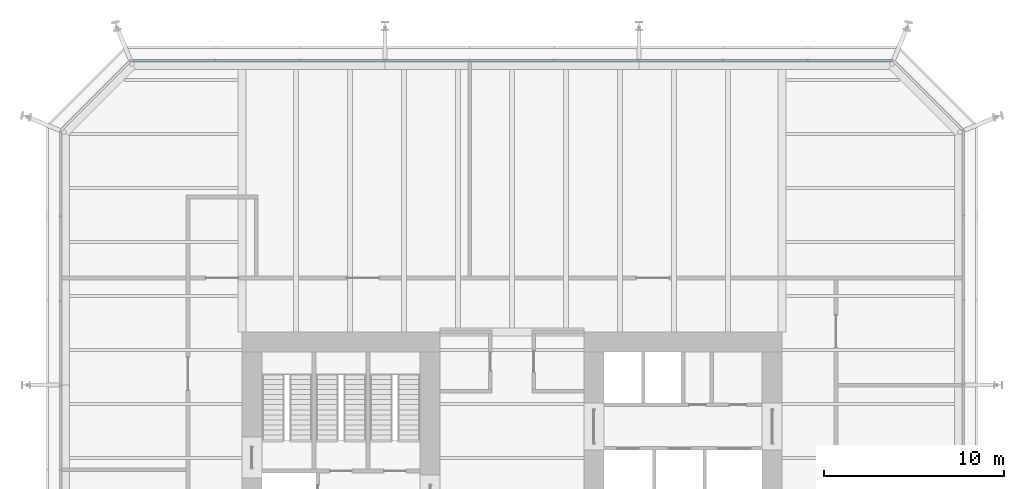
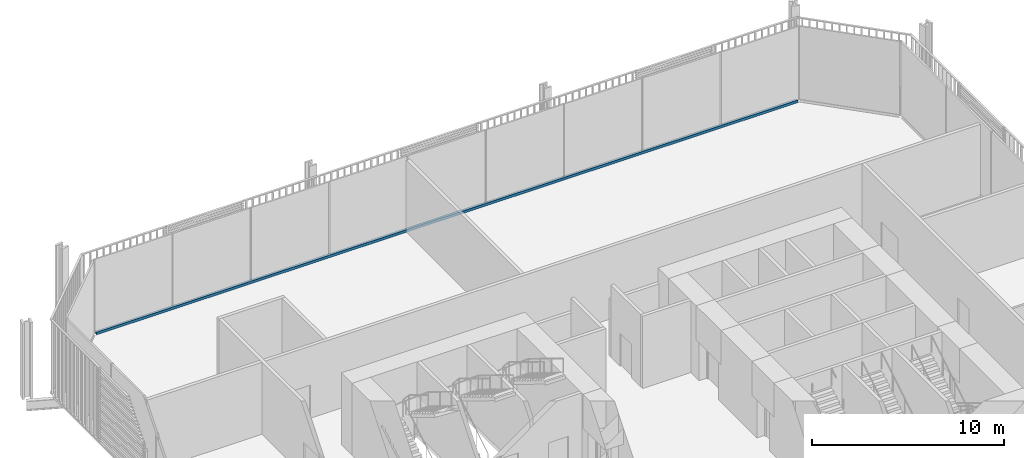
# One storey, part 15 of 22: 1 member, 1 element without a shape of its own.
"""IFC4 building model written with IfcOpenShell, lengths in metres."""

from ifc_helpers import new_model, si_unit, direction, frame, origin, origin_2d, place, context, subcontext, project, spatial, rectangle, extrude, material, layer, layer_set, material_profile, profile_set, type_object, element, aggregate, save


model = new_model("IFC4")

# Units and contexts
model_context = context("Model", 3, precision=1e-05, world=origin(), true_north=direction((0.0, 1.0)))
body_context = subcontext(model_context, "Body", "Model", "MODEL_VIEW")
ifc_project = project(units=[si_unit("LENGTHUNIT", "METRE"), si_unit("AREAUNIT", "SQUARE_METRE"), si_unit("VOLUMEUNIT", "CUBIC_METRE"), si_unit("PLANEANGLEUNIT", "RADIAN"), si_unit("MASSUNIT", "GRAM", prefix="KILO")], contexts=[model_context])

# Site, building, storey
site_placement = place(None, origin())
site = spatial("IfcSite", under=ifc_project, at=site_placement, CompositionType="ELEMENT")
building_placement = place(site_placement, origin())
building = spatial("IfcBuilding", under=site, at=building_placement, Name="Millrace Tower", CompositionType="ELEMENT")
storey_placement = place(building_placement, frame((0.0, 0.0, 25.699951171875)))
storey = spatial("IfcBuildingStorey", under=building, at=storey_placement, Name="L06", CompositionType="ELEMENT", Elevation=25.699951171875)

# Curtain wall, member
ifc_material_1 = material(Name="Aluminium and glass", Category="aluminium")
ifc_layer = layer(ifc_material_1, 0.14990234375)
ifc_layer_set = layer_set([ifc_layer], Name="Aluminium and glass")
curtain_wall_type = type_object("IfcCurtainWallType", Name="CW-2 data hall insulated curtain wall", PredefinedType="NOTDEFINED", material=ifc_layer_set)
curtain_wall_placement = place(storey_placement, origin())
curtain_wall = element("IfcCurtainWall", 1, at=curtain_wall_placement, inside=storey, type_object=curtain_wall_type, Name="Curtain wall A-F06 L06", PredefinedType="NOTDEFINED")
ifc_material_2 = material(Name="Aluminium", Category="aluminium")
ifc_material_profile = material_profile(ifc_material_2, rectangle(XDim=0.14990234375, YDim=0.159912109375, at=origin_2d()))
ifc_profile_set = profile_set([ifc_material_profile], Name="Aluminium")
member_type = type_object("IfcMemberType", Name="CW-2 data hall insulated curtain wall transom", PredefinedType="USERDEFINED", material=ifc_profile_set)
member_placement = place(storey_placement, frame((21.050048828125, 25.074951171875, 0.080078125), z_axis=(-1.0, 0.0, 0.0), x_axis=(0.0, -1.0, 0.0)))
member = element("IfcMember", 2, at=member_placement, type_object=member_type, Name="CW2 transom A-F06.1", ObjectType="TRANSOM", PredefinedType="USERDEFINED", context=body_context, shape_type="SweptSolid", body=[
    extrude(rectangle(XDim=0.14990234375, YDim=0.159912109375, at=origin_2d()), origin(), (0.0, 0.0, 1.0), 42.10009765625),
])
aggregate(curtain_wall, [member])

save(model, "model.ifc")
